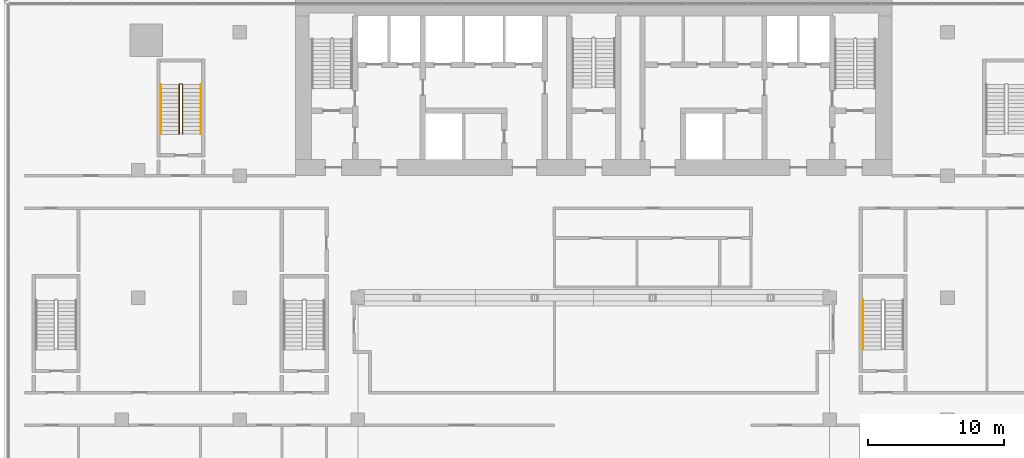
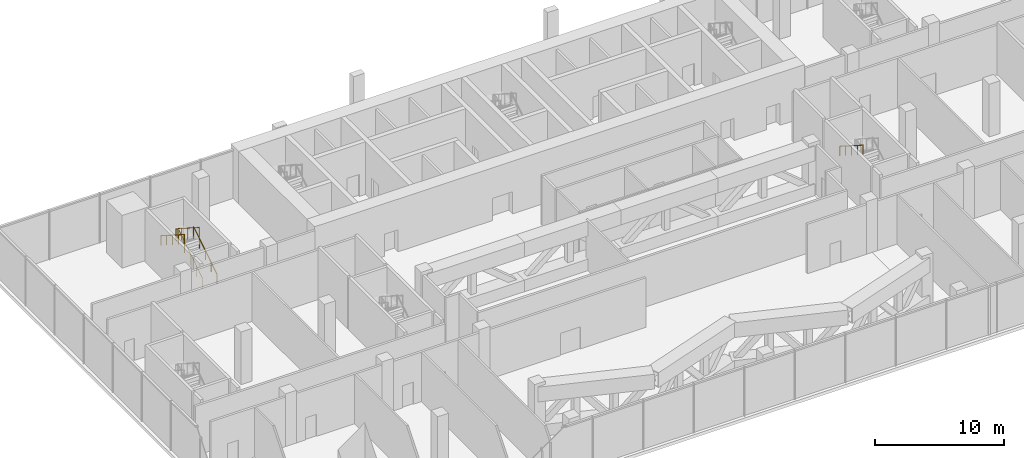
# One storey, part 20 of 22: 4 railings.
"""IFC4 building model written with IfcOpenShell, lengths in metres."""

from ifc_helpers import new_model, si_unit, direction, frame, origin, origin_2d, place, context, subcontext, project, spatial, circle, extrude, material, type_object, element, save


model = new_model("IFC4")

# Units and contexts
model_context = context("Model", 3, precision=1e-05, world=origin(), true_north=direction((0.0, 1.0)))
body_context = subcontext(model_context, "Body", "Model", "MODEL_VIEW")
ifc_project = project(units=[si_unit("LENGTHUNIT", "METRE"), si_unit("AREAUNIT", "SQUARE_METRE"), si_unit("VOLUMEUNIT", "CUBIC_METRE"), si_unit("PLANEANGLEUNIT", "RADIAN"), si_unit("MASSUNIT", "GRAM", prefix="KILO")], contexts=[model_context])

# Site, building, storey
site_placement = place(None, origin())
site = spatial("IfcSite", under=ifc_project, at=site_placement, CompositionType="ELEMENT")
building_placement = place(site_placement, origin())
building = spatial("IfcBuilding", under=site, at=building_placement, Name="Bicima Exchange Tower", CompositionType="ELEMENT")
storey_placement = place(building_placement, frame((0.0, 0.0, 20.0)))
storey = spatial("IfcBuildingStorey", under=building, at=storey_placement, Name="L03", CompositionType="ELEMENT", Elevation=20.0)

# Railings
ifc_material = material(Name="Stainless steel", Category="steel")
railing_type_1 = type_object("IfcRailingType", Name="Stair guard 1100", PredefinedType="GUARDRAIL", material=ifc_material)
railing_1_placement = place(storey_placement, frame((-30.324951171875, -9.925048828125, 0.178466796875)))
element("IfcRailing", 1, at=railing_1_placement, inside=storey, type_object=railing_type_1, Name="L03 ST-WW stair guard 1", PredefinedType="GUARDRAIL", context=body_context, shape_type="SweptSolid", body=[
    extrude(circle(Radius=0.02392578125, at=origin_2d()), frame((0.0, 0.0, 1.076171875), z_axis=(0.0, 0.843127859045, 0.537713132908), x_axis=(-1.0, 0.0, 0.0)), (0.0, 0.0, 1.0), 4.3173828125),
    extrude(circle(Radius=0.02392578125, at=origin_2d()), frame((0.0, 3.64013671875, 3.3974609375), z_axis=(-0.708833529934, 0.705375805398, 0.0), x_axis=(-0.705375805398, -0.708833529934, 0.0)), (0.0, 0.0, 1.0), 0.070556640625),
    extrude(circle(Radius=0.02392578125, at=origin_2d()), frame((-0.050048828125, 3.68994140625, 3.3974609375), z_axis=(-1.0, 0.0, 0.0), x_axis=(0.0, -1.0, 0.0)), (0.0, 0.0, 1.0), 0.14990234375),
    extrude(circle(Radius=0.02392578125, at=origin_2d()), frame((-0.199951171875, 3.68994140625, 3.3974609375), z_axis=(-0.26077077684, -0.25949872427, 0.929870428634), x_axis=(0.705375805398, -0.708833529934, 0.0)), (0.0, 0.0, 1.0), 0.19189453125),
    extrude(circle(Radius=0.02392578125, at=origin_2d()), frame((-0.25, 3.64013671875, 3.576171875), z_axis=(0.0, -0.843127859045, 0.537713132908), x_axis=(1.0, 0.0, 0.0)), (0.0, 0.0, 1.0), 4.3173828125),
    extrude(circle(Radius=0.02099609375, at=origin_2d()), origin(), (0.0, 0.0, 1.0), 1.052001953125),
    extrude(circle(Radius=0.02099609375, at=origin_2d()), frame((0.0, 0.91015625, 0.580322265625)), (0.0, 0.0, 1.0), 1.052001953125),
    extrude(circle(Radius=0.02099609375, at=origin_2d()), frame((0.0, 1.820068359375, 1.16064453125)), (0.0, 0.0, 1.0), 1.052001953125),
    extrude(circle(Radius=0.02099609375, at=origin_2d()), frame((0.0, 2.72998046875, 1.7412109375)), (0.0, 0.0, 1.0), 1.052001953125),
    extrude(circle(Radius=0.02099609375, at=origin_2d()), frame((0.0, 3.64013671875, 2.321533203125)), (0.0, 0.0, 1.0), 1.052001953125),
    extrude(circle(Radius=0.02099609375, at=origin_2d()), frame((-0.050048828125, 3.68994140625, 2.321533203125)), (0.0, 0.0, 1.0), 1.052001953125),
    extrude(circle(Radius=0.02099609375, at=origin_2d()), frame((-0.199951171875, 3.68994140625, 2.321533203125)), (0.0, 0.0, 1.0), 1.052001953125),
    extrude(circle(Radius=0.02099609375, at=origin_2d()), frame((-0.25, 3.64013671875, 2.5)), (0.0, 0.0, 1.0), 1.052001953125),
    extrude(circle(Radius=0.02099609375, at=origin_2d()), frame((-0.25, 2.72998046875, 3.080322265625)), (0.0, 0.0, 1.0), 1.052001953125),
    extrude(circle(Radius=0.02099609375, at=origin_2d()), frame((-0.25, 1.820068359375, 3.66064453125)), (0.0, 0.0, 1.0), 1.052001953125),
    extrude(circle(Radius=0.02099609375, at=origin_2d()), frame((-0.25, 0.91015625, 4.2412109375)), (0.0, 0.0, 1.0), 1.052001953125),
    extrude(circle(Radius=0.02099609375, at=origin_2d()), frame((-0.25, 0.0, 4.821533203125)), (0.0, 0.0, 1.0), 1.052001953125),
])
railing_type_2 = type_object("IfcRailingType", Name="Stair handrail 900", PredefinedType="HANDRAIL", material=ifc_material)
railing_2_placement = place(storey_placement, frame((-28.97509765625, -9.925048828125, 0.178466796875)))
element("IfcRailing", 2, at=railing_2_placement, inside=storey, type_object=railing_type_2, Name="L03 ST-WW stair handrail 1", PredefinedType="HANDRAIL", context=body_context, shape_type="SweptSolid", body=[
    extrude(circle(Radius=0.02392578125, at=origin_2d()), frame((0.0, 0.0, 0.8759765625), z_axis=(0.0, 0.843127859045, 0.537713132908), x_axis=(-1.0, 0.0, 0.0)), (0.0, 0.0, 1.0), 4.3173828125),
    extrude(circle(Radius=0.02099609375, at=origin_2d()), origin(), (0.0, 0.0, 1.0), 0.851806640625),
    extrude(circle(Radius=0.02099609375, at=origin_2d()), frame((0.0, 0.91015625, 0.580322265625)), (0.0, 0.0, 1.0), 0.851806640625),
    extrude(circle(Radius=0.02099609375, at=origin_2d()), frame((0.0, 1.820068359375, 1.16064453125)), (0.0, 0.0, 1.0), 0.851806640625),
    extrude(circle(Radius=0.02099609375, at=origin_2d()), frame((0.0, 2.72998046875, 1.7412109375)), (0.0, 0.0, 1.0), 0.851806640625),
    extrude(circle(Radius=0.02099609375, at=origin_2d()), frame((0.0, 3.64013671875, 2.321533203125)), (0.0, 0.0, 1.0), 0.851806640625),
])
railing_3_placement = place(storey_placement, frame((-31.925048828125, -6.284912109375, 2.678466796875)))
element("IfcRailing", 3, at=railing_3_placement, inside=storey, type_object=railing_type_2, Name="L03 ST-WW stair handrail 2", PredefinedType="HANDRAIL", context=body_context, shape_type="SweptSolid", body=[
    extrude(circle(Radius=0.02392578125, at=origin_2d()), frame((0.0, 0.0, 0.8759765625), z_axis=(0.0, -0.843127859045, 0.537713132908), x_axis=(1.0, 0.0, 0.0)), (0.0, 0.0, 1.0), 4.3173828125),
    extrude(circle(Radius=0.02099609375, at=origin_2d()), origin(), (0.0, 0.0, 1.0), 0.851806640625),
    extrude(circle(Radius=0.02099609375, at=origin_2d()), frame((0.0, -0.91015625, 0.580322265625)), (0.0, 0.0, 1.0), 0.851806640625),
    extrude(circle(Radius=0.02099609375, at=origin_2d()), frame((0.0, -1.820068359375, 1.16064453125)), (0.0, 0.0, 1.0), 0.851806640625),
    extrude(circle(Radius=0.02099609375, at=origin_2d()), frame((0.0, -2.72998046875, 1.7412109375)), (0.0, 0.0, 1.0), 0.851806640625),
    extrude(circle(Radius=0.02099609375, at=origin_2d()), frame((0.0, -3.64013671875, 2.321533203125)), (0.0, 0.0, 1.0), 0.851806640625),
])
railing_4_placement = place(storey_placement, frame((19.875, -22.18505859375, 2.678466796875)))
element("IfcRailing", 4, at=railing_4_placement, inside=storey, type_object=railing_type_2, Name="L03 PS-EI stair handrail 2", PredefinedType="HANDRAIL", context=body_context, shape_type="SweptSolid", body=[
    extrude(circle(Radius=0.02392578125, at=origin_2d()), frame((0.0, 0.0, 0.8759765625), z_axis=(0.0, -0.843111507901, 0.53773877045), x_axis=(1.0, 0.0, 0.0)), (0.0, 0.0, 1.0), 4.317138671875),
    extrude(circle(Radius=0.02099609375, at=origin_2d()), origin(), (0.0, 0.0, 1.0), 0.851806640625),
    extrude(circle(Radius=0.02099609375, at=origin_2d()), frame((0.0, -0.909912109375, 0.580322265625)), (0.0, 0.0, 1.0), 0.851806640625),
    extrude(circle(Radius=0.02099609375, at=origin_2d()), frame((0.0, -1.81982421875, 1.16064453125)), (0.0, 0.0, 1.0), 0.851806640625),
    extrude(circle(Radius=0.02099609375, at=origin_2d()), frame((0.0, -2.72998046875, 1.7412109375)), (0.0, 0.0, 1.0), 0.851806640625),
    extrude(circle(Radius=0.02099609375, at=origin_2d()), frame((0.0, -3.639892578125, 2.321533203125)), (0.0, 0.0, 1.0), 0.851806640625),
])

save(model, "model.ifc")
